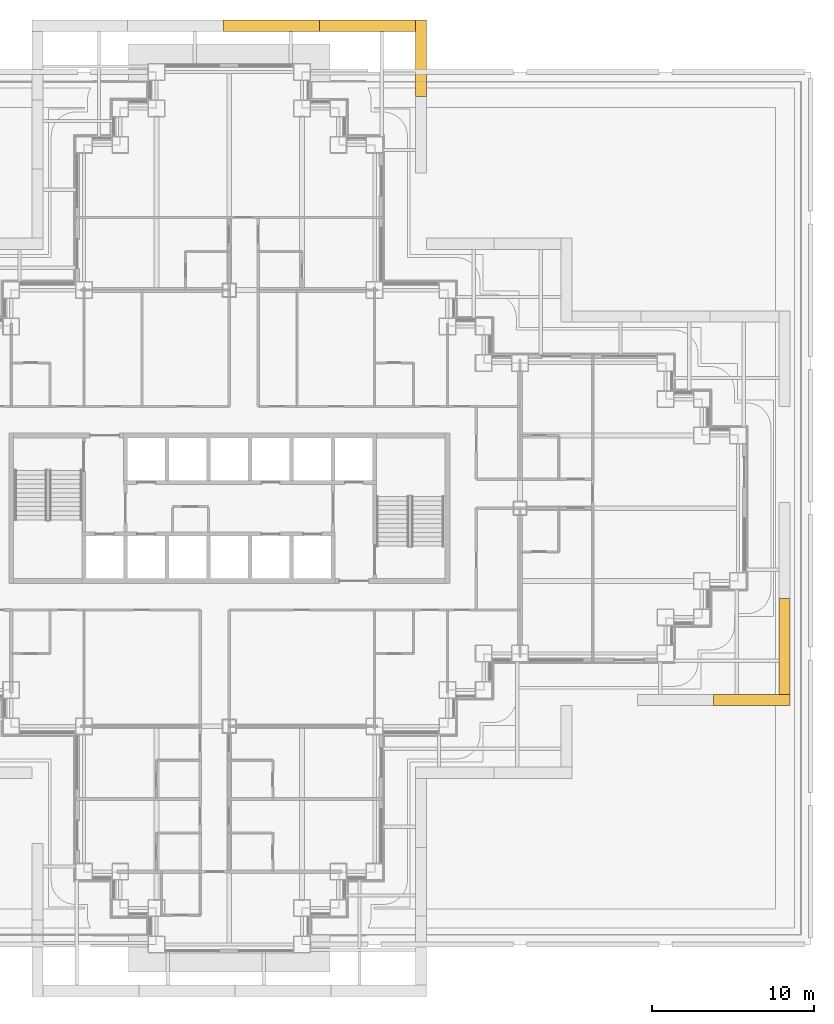
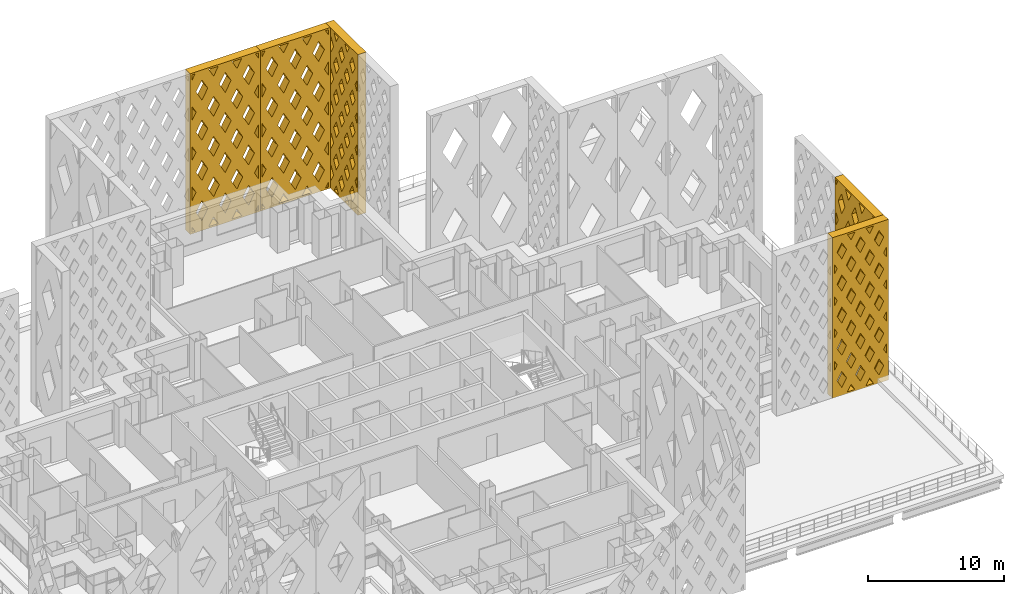
# One storey, part 25 of 26: 5 shading devices.
"""IFC4 building model written with IfcOpenShell, lengths in metres."""

from ifc_helpers import new_model, si_unit, direction, frame, origin, place, context, subcontext, project, spatial, polyline, outline, extrude, material, type_object, element, save


model = new_model("IFC4")

# Units and contexts
model_context = context("Model", 3, precision=1e-05, world=origin(), true_north=direction((0.0, 1.0)))
body_context = subcontext(model_context, "Body", "Model", "MODEL_VIEW")
ifc_project = project(units=[si_unit("LENGTHUNIT", "METRE"), si_unit("AREAUNIT", "SQUARE_METRE"), si_unit("VOLUMEUNIT", "CUBIC_METRE"), si_unit("PLANEANGLEUNIT", "RADIAN"), si_unit("MASSUNIT", "GRAM", prefix="KILO")], contexts=[model_context])

# Site, building, storey
site_placement = place(None, origin())
site = spatial("IfcSite", under=ifc_project, at=site_placement, CompositionType="ELEMENT")
building_placement = place(site_placement, origin())
building = spatial("IfcBuilding", under=site, at=building_placement, Name="Caravel Reach Hotel and Residences", CompositionType="ELEMENT")
storey_placement = place(building_placement, frame((0.0, 0.0, 33.60009765625)))
storey = spatial("IfcBuildingStorey", under=building, at=storey_placement, Name="L06", CompositionType="ELEMENT", Elevation=33.60009765625)

# Shading devices
ifc_material_1 = material(Name="Black powder-coated aluminium", Category="aluminium")
shading_device_type_1 = type_object("IfcShadingDeviceType", Name="Diamond lattice screen panel 4733 x 14400", PredefinedType="USERDEFINED", material=ifc_material_1)
shading_device_1_placement = place(storey_placement, frame((61.49169921875, 15.47509765625, 0.0), z_axis=(0.0, -1.0, 0.0), x_axis=(1.0, 0.0, 0.0)))
element("IfcShadingDevice", 1, at=shading_device_1_placement, inside=storey, type_object=shading_device_type_1, Name="Lattice screen L06-L09 6.3", ObjectType="SCREEN", PredefinedType="USERDEFINED", context=body_context, shape_type="SweptSolid", body=[
    extrude(outline(polyline([(0.0, 0.0), (4.7333984375, 0.0), (4.7333984375, 14.39990234375), (0.0, 14.39990234375), (0.0, 0.0)]), holes=[polyline([(0.39892578125, 2.8798828125), (0.14990234375, 3.334228515625), (0.14990234375, 2.42578125), (0.39892578125, 2.8798828125)]), polyline([(0.39892578125, 5.760009765625), (0.14990234375, 6.21435546875), (0.14990234375, 5.3056640625), (0.39892578125, 5.760009765625)]), polyline([(0.39892578125, 8.639892578125), (0.14990234375, 9.09423828125), (0.14990234375, 8.185791015625), (0.39892578125, 8.639892578125)]), polyline([(0.39892578125, 11.52001953125), (0.14990234375, 11.974365234375), (0.14990234375, 11.065673828125), (0.39892578125, 11.52001953125)]), polyline([(0.788818359375, 2.16796875), (0.39013671875, 1.43994140625), (0.788818359375, 0.7119140625), (1.187744140625, 1.43994140625), (0.788818359375, 2.16796875)]), polyline([(0.788818359375, 5.048095703125), (0.39013671875, 4.320068359375), (0.788818359375, 3.592041015625), (1.187744140625, 4.320068359375), (0.788818359375, 5.048095703125)]), polyline([(0.788818359375, 7.927978515625), (0.39013671875, 7.199951171875), (0.788818359375, 6.471923828125), (1.187744140625, 7.199951171875), (0.788818359375, 7.927978515625)]), polyline([(0.788818359375, 10.80810546875), (0.39013671875, 10.080078125), (0.788818359375, 9.35205078125), (1.187744140625, 10.080078125), (0.788818359375, 10.80810546875)]), polyline([(0.788818359375, 13.68798828125), (0.39013671875, 12.9599609375), (0.788818359375, 12.23193359375), (1.187744140625, 12.9599609375), (0.788818359375, 13.68798828125)]), polyline([(1.577880859375, 0.72802734375), (1.260986328125, 0.14990234375), (1.89453125, 0.14990234375), (1.577880859375, 0.72802734375)]), polyline([(1.577880859375, 3.608154296875), (1.178955078125, 2.8798828125), (1.577880859375, 2.15185546875), (1.9765625, 2.8798828125), (1.577880859375, 3.608154296875)]), polyline([(1.577880859375, 6.488037109375), (1.178955078125, 5.760009765625), (1.577880859375, 5.031982421875), (1.9765625, 5.760009765625), (1.577880859375, 6.488037109375)]), polyline([(1.577880859375, 9.3681640625), (1.178955078125, 8.639892578125), (1.577880859375, 7.911865234375), (1.9765625, 8.639892578125), (1.577880859375, 9.3681640625)]), polyline([(1.577880859375, 12.248046875), (1.178955078125, 11.52001953125), (1.577880859375, 10.7919921875), (1.9765625, 11.52001953125), (1.577880859375, 12.248046875)]), polyline([(1.577880859375, 13.671875), (1.89453125, 14.25), (1.260986328125, 14.25), (1.577880859375, 13.671875)]), polyline([(2.36669921875, 2.16796875), (1.9677734375, 1.43994140625), (2.36669921875, 0.7119140625), (2.765625, 1.43994140625), (2.36669921875, 2.16796875)]), polyline([(2.36669921875, 5.048095703125), (1.9677734375, 4.320068359375), (2.36669921875, 3.592041015625), (2.765625, 4.320068359375), (2.36669921875, 5.048095703125)]), polyline([(2.36669921875, 7.927978515625), (1.9677734375, 7.199951171875), (2.36669921875, 6.471923828125), (2.765625, 7.199951171875), (2.36669921875, 7.927978515625)]), polyline([(2.36669921875, 10.80810546875), (1.9677734375, 10.080078125), (2.36669921875, 9.35205078125), (2.765625, 10.080078125), (2.36669921875, 10.80810546875)]), polyline([(2.36669921875, 13.68798828125), (1.9677734375, 12.9599609375), (2.36669921875, 12.23193359375), (2.765625, 12.9599609375), (2.36669921875, 13.68798828125)]), polyline([(3.155517578125, 0.72802734375), (2.8388671875, 0.14990234375), (3.47216796875, 0.14990234375), (3.155517578125, 0.72802734375)]), polyline([(3.155517578125, 3.608154296875), (2.756591796875, 2.8798828125), (3.155517578125, 2.15185546875), (3.554443359375, 2.8798828125), (3.155517578125, 3.608154296875)]), polyline([(3.155517578125, 6.488037109375), (2.756591796875, 5.760009765625), (3.155517578125, 5.031982421875), (3.554443359375, 5.760009765625), (3.155517578125, 6.488037109375)]), polyline([(3.155517578125, 9.3681640625), (2.756591796875, 8.639892578125), (3.155517578125, 7.911865234375), (3.554443359375, 8.639892578125), (3.155517578125, 9.3681640625)]), polyline([(3.155517578125, 12.248046875), (2.756591796875, 11.52001953125), (3.155517578125, 10.7919921875), (3.554443359375, 11.52001953125), (3.155517578125, 12.248046875)]), polyline([(3.155517578125, 13.671875), (3.47216796875, 14.25), (2.8388671875, 14.25), (3.155517578125, 13.671875)]), polyline([(3.9443359375, 2.16796875), (3.545654296875, 1.43994140625), (3.9443359375, 0.7119140625), (4.34326171875, 1.43994140625), (3.9443359375, 2.16796875)]), polyline([(3.9443359375, 5.048095703125), (3.545654296875, 4.320068359375), (3.9443359375, 3.592041015625), (4.34326171875, 4.320068359375), (3.9443359375, 5.048095703125)]), polyline([(3.9443359375, 7.927978515625), (3.545654296875, 7.199951171875), (3.9443359375, 6.471923828125), (4.34326171875, 7.199951171875), (3.9443359375, 7.927978515625)]), polyline([(3.9443359375, 10.80810546875), (3.545654296875, 10.080078125), (3.9443359375, 9.35205078125), (4.34326171875, 10.080078125), (3.9443359375, 10.80810546875)]), polyline([(3.9443359375, 13.68798828125), (3.545654296875, 12.9599609375), (3.9443359375, 12.23193359375), (4.34326171875, 12.9599609375), (3.9443359375, 13.68798828125)]), polyline([(4.33447265625, 2.8798828125), (4.583251953125, 2.42578125), (4.583251953125, 3.334228515625), (4.33447265625, 2.8798828125)]), polyline([(4.33447265625, 5.760009765625), (4.583251953125, 5.3056640625), (4.583251953125, 6.21435546875), (4.33447265625, 5.760009765625)]), polyline([(4.33447265625, 8.639892578125), (4.583251953125, 8.185791015625), (4.583251953125, 9.09423828125), (4.33447265625, 8.639892578125)]), polyline([(4.33447265625, 11.52001953125), (4.583251953125, 11.065673828125), (4.583251953125, 11.974365234375), (4.33447265625, 11.52001953125)])]), origin(), (0.0, 0.0, 1.0), 0.7001953125),
])
shading_device_2_placement = place(storey_placement, frame((43.02490234375, 52.49169921875, 0.0), z_axis=(1.0, 0.0, 0.0), x_axis=(0.0, 1.0, 0.0)))
element("IfcShadingDevice", 2, at=shading_device_2_placement, inside=storey, type_object=shading_device_type_1, Name="Lattice screen L06-L09 11.3", ObjectType="SCREEN", PredefinedType="USERDEFINED", context=body_context, shape_type="SweptSolid", body=[
    extrude(outline(polyline([(0.0, 0.0), (4.7333984375, 0.0), (4.7333984375, 14.39990234375), (0.0, 14.39990234375), (0.0, 0.0)]), holes=[polyline([(0.39892578125, 2.8798828125), (0.14990234375, 3.334228515625), (0.14990234375, 2.42578125), (0.39892578125, 2.8798828125)]), polyline([(0.39892578125, 5.760009765625), (0.14990234375, 6.21435546875), (0.14990234375, 5.3056640625), (0.39892578125, 5.760009765625)]), polyline([(0.39892578125, 8.639892578125), (0.14990234375, 9.09423828125), (0.14990234375, 8.185791015625), (0.39892578125, 8.639892578125)]), polyline([(0.39892578125, 11.52001953125), (0.14990234375, 11.974365234375), (0.14990234375, 11.065673828125), (0.39892578125, 11.52001953125)]), polyline([(0.788818359375, 2.16796875), (0.39013671875, 1.43994140625), (0.788818359375, 0.7119140625), (1.187744140625, 1.43994140625), (0.788818359375, 2.16796875)]), polyline([(0.788818359375, 5.048095703125), (0.39013671875, 4.320068359375), (0.788818359375, 3.592041015625), (1.187744140625, 4.320068359375), (0.788818359375, 5.048095703125)]), polyline([(0.788818359375, 7.927978515625), (0.39013671875, 7.199951171875), (0.788818359375, 6.471923828125), (1.187744140625, 7.199951171875), (0.788818359375, 7.927978515625)]), polyline([(0.788818359375, 10.80810546875), (0.39013671875, 10.080078125), (0.788818359375, 9.35205078125), (1.187744140625, 10.080078125), (0.788818359375, 10.80810546875)]), polyline([(0.788818359375, 13.68798828125), (0.39013671875, 12.9599609375), (0.788818359375, 12.23193359375), (1.187744140625, 12.9599609375), (0.788818359375, 13.68798828125)]), polyline([(1.577880859375, 0.72802734375), (1.260986328125, 0.14990234375), (1.89453125, 0.14990234375), (1.577880859375, 0.72802734375)]), polyline([(1.577880859375, 3.608154296875), (1.178955078125, 2.8798828125), (1.577880859375, 2.15185546875), (1.9765625, 2.8798828125), (1.577880859375, 3.608154296875)]), polyline([(1.577880859375, 6.488037109375), (1.178955078125, 5.760009765625), (1.577880859375, 5.031982421875), (1.9765625, 5.760009765625), (1.577880859375, 6.488037109375)]), polyline([(1.577880859375, 9.3681640625), (1.178955078125, 8.639892578125), (1.577880859375, 7.911865234375), (1.9765625, 8.639892578125), (1.577880859375, 9.3681640625)]), polyline([(1.577880859375, 12.248046875), (1.178955078125, 11.52001953125), (1.577880859375, 10.7919921875), (1.9765625, 11.52001953125), (1.577880859375, 12.248046875)]), polyline([(1.577880859375, 13.671875), (1.89453125, 14.25), (1.260986328125, 14.25), (1.577880859375, 13.671875)]), polyline([(2.36669921875, 2.16796875), (1.9677734375, 1.43994140625), (2.36669921875, 0.7119140625), (2.765625, 1.43994140625), (2.36669921875, 2.16796875)]), polyline([(2.36669921875, 5.048095703125), (1.9677734375, 4.320068359375), (2.36669921875, 3.592041015625), (2.765625, 4.320068359375), (2.36669921875, 5.048095703125)]), polyline([(2.36669921875, 7.927978515625), (1.9677734375, 7.199951171875), (2.36669921875, 6.471923828125), (2.765625, 7.199951171875), (2.36669921875, 7.927978515625)]), polyline([(2.36669921875, 10.80810546875), (1.9677734375, 10.080078125), (2.36669921875, 9.35205078125), (2.765625, 10.080078125), (2.36669921875, 10.80810546875)]), polyline([(2.36669921875, 13.68798828125), (1.9677734375, 12.9599609375), (2.36669921875, 12.23193359375), (2.765625, 12.9599609375), (2.36669921875, 13.68798828125)]), polyline([(3.155517578125, 0.72802734375), (2.8388671875, 0.14990234375), (3.47216796875, 0.14990234375), (3.155517578125, 0.72802734375)]), polyline([(3.155517578125, 3.608154296875), (2.756591796875, 2.8798828125), (3.155517578125, 2.15185546875), (3.554443359375, 2.8798828125), (3.155517578125, 3.608154296875)]), polyline([(3.155517578125, 6.488037109375), (2.756591796875, 5.760009765625), (3.155517578125, 5.031982421875), (3.554443359375, 5.760009765625), (3.155517578125, 6.488037109375)]), polyline([(3.155517578125, 9.3681640625), (2.756591796875, 8.639892578125), (3.155517578125, 7.911865234375), (3.554443359375, 8.639892578125), (3.155517578125, 9.3681640625)]), polyline([(3.155517578125, 12.248046875), (2.756591796875, 11.52001953125), (3.155517578125, 10.7919921875), (3.554443359375, 11.52001953125), (3.155517578125, 12.248046875)]), polyline([(3.155517578125, 13.671875), (3.47216796875, 14.25), (2.8388671875, 14.25), (3.155517578125, 13.671875)]), polyline([(3.9443359375, 2.16796875), (3.545654296875, 1.43994140625), (3.9443359375, 0.7119140625), (4.34326171875, 1.43994140625), (3.9443359375, 2.16796875)]), polyline([(3.9443359375, 5.048095703125), (3.545654296875, 4.320068359375), (3.9443359375, 3.592041015625), (4.34326171875, 4.320068359375), (3.9443359375, 5.048095703125)]), polyline([(3.9443359375, 7.927978515625), (3.545654296875, 7.199951171875), (3.9443359375, 6.471923828125), (4.34326171875, 7.199951171875), (3.9443359375, 7.927978515625)]), polyline([(3.9443359375, 10.80810546875), (3.545654296875, 10.080078125), (3.9443359375, 9.35205078125), (4.34326171875, 10.080078125), (3.9443359375, 10.80810546875)]), polyline([(3.9443359375, 13.68798828125), (3.545654296875, 12.9599609375), (3.9443359375, 12.23193359375), (4.34326171875, 12.9599609375), (3.9443359375, 13.68798828125)]), polyline([(4.33447265625, 2.8798828125), (4.583251953125, 2.42578125), (4.583251953125, 3.334228515625), (4.33447265625, 2.8798828125)]), polyline([(4.33447265625, 5.760009765625), (4.583251953125, 5.3056640625), (4.583251953125, 6.21435546875), (4.33447265625, 5.760009765625)]), polyline([(4.33447265625, 8.639892578125), (4.583251953125, 8.185791015625), (4.583251953125, 9.09423828125), (4.33447265625, 8.639892578125)]), polyline([(4.33447265625, 11.52001953125), (4.583251953125, 11.065673828125), (4.583251953125, 11.974365234375), (4.33447265625, 11.52001953125)])]), origin(), (0.0, 0.0, 1.0), 0.7001953125),
])
ifc_material_2 = material(Name="Black powder-coated aluminium", Category="aluminium")
shading_device_type_2 = type_object("IfcShadingDeviceType", Name="Diamond lattice screen panel 5937 x 14400", PredefinedType="USERDEFINED", material=ifc_material_2)
shading_device_3_placement = place(storey_placement, frame((65.52490234375, 15.47509765625, 0.0), z_axis=(1.0, 0.0, 0.0), x_axis=(0.0, 1.0, 0.0)))
element("IfcShadingDevice", 3, at=shading_device_3_placement, inside=storey, type_object=shading_device_type_2, Name="Lattice screen L06-L09 7.1", ObjectType="SCREEN", PredefinedType="USERDEFINED", context=body_context, shape_type="SweptSolid", body=[
    extrude(outline(polyline([(0.0, 0.0), (5.9375, 0.0), (5.9375, 14.39990234375), (0.0, 14.39990234375), (0.0, 0.0)]), holes=[polyline([(0.412353515625, 0.14990234375), (0.14990234375, 0.626953125), (0.14990234375, 0.14990234375), (0.412353515625, 0.14990234375)]), polyline([(0.49462890625, 3.60009765625), (0.14990234375, 4.22705078125), (0.14990234375, 2.972900390625), (0.49462890625, 3.60009765625)]), polyline([(0.49462890625, 7.199951171875), (0.14990234375, 7.826904296875), (0.14990234375, 6.572998046875), (0.49462890625, 7.199951171875)]), polyline([(0.49462890625, 10.800048828125), (0.14990234375, 11.427001953125), (0.14990234375, 10.173095703125), (0.49462890625, 10.800048828125)]), polyline([(0.14990234375, 13.77294921875), (0.412353515625, 14.25), (0.14990234375, 14.25), (0.14990234375, 13.77294921875)]), polyline([(0.989501953125, 2.699951171875), (0.494873046875, 1.800048828125), (0.989501953125, 0.900146484375), (1.484375, 1.800048828125), (0.989501953125, 2.699951171875)]), polyline([(0.989501953125, 6.2998046875), (0.494873046875, 5.39990234375), (0.989501953125, 4.500244140625), (1.484375, 5.39990234375), (0.989501953125, 6.2998046875)]), polyline([(0.989501953125, 9.89990234375), (0.494873046875, 9.0), (0.989501953125, 8.10009765625), (1.484375, 9.0), (0.989501953125, 9.89990234375)]), polyline([(0.989501953125, 13.499755859375), (0.494873046875, 12.60009765625), (0.989501953125, 11.7001953125), (1.484375, 12.60009765625), (0.989501953125, 13.499755859375)]), polyline([(1.979248046875, 0.89990234375), (1.56689453125, 0.14990234375), (2.391357421875, 0.14990234375), (1.979248046875, 0.89990234375)]), polyline([(1.979248046875, 4.499755859375), (1.484375, 3.60009765625), (1.979248046875, 2.7001953125), (2.473876953125, 3.60009765625), (1.979248046875, 4.499755859375)]), polyline([(1.979248046875, 8.099853515625), (1.484375, 7.199951171875), (1.979248046875, 6.300048828125), (2.473876953125, 7.199951171875), (1.979248046875, 8.099853515625)]), polyline([(1.979248046875, 11.699951171875), (1.484375, 10.800048828125), (1.979248046875, 9.900146484375), (2.473876953125, 10.800048828125), (1.979248046875, 11.699951171875)]), polyline([(1.979248046875, 13.500244140625), (2.391357421875, 14.25), (1.56689453125, 14.25), (1.979248046875, 13.500244140625)]), polyline([(2.96875, 2.699951171875), (2.47412109375, 1.800048828125), (2.96875, 0.900146484375), (3.46337890625, 1.800048828125), (2.96875, 2.699951171875)]), polyline([(2.96875, 6.2998046875), (2.47412109375, 5.39990234375), (2.96875, 4.500244140625), (3.46337890625, 5.39990234375), (2.96875, 6.2998046875)]), polyline([(2.96875, 9.89990234375), (2.47412109375, 9.0), (2.96875, 8.10009765625), (3.46337890625, 9.0), (2.96875, 9.89990234375)]), polyline([(2.96875, 13.499755859375), (2.47412109375, 12.60009765625), (2.96875, 11.7001953125), (3.46337890625, 12.60009765625), (2.96875, 13.499755859375)]), polyline([(3.958251953125, 0.89990234375), (3.546142578125, 0.14990234375), (4.37060546875, 0.14990234375), (3.958251953125, 0.89990234375)]), polyline([(3.958251953125, 4.499755859375), (3.463623046875, 3.60009765625), (3.958251953125, 2.7001953125), (4.453125, 3.60009765625), (3.958251953125, 4.499755859375)]), polyline([(3.958251953125, 8.099853515625), (3.463623046875, 7.199951171875), (3.958251953125, 6.300048828125), (4.453125, 7.199951171875), (3.958251953125, 8.099853515625)]), polyline([(3.958251953125, 11.699951171875), (3.463623046875, 10.800048828125), (3.958251953125, 9.900146484375), (4.453125, 10.800048828125), (3.958251953125, 11.699951171875)]), polyline([(3.958251953125, 13.500244140625), (4.37060546875, 14.25), (3.546142578125, 14.25), (3.958251953125, 13.500244140625)]), polyline([(4.947998046875, 2.699951171875), (4.453125, 1.800048828125), (4.947998046875, 0.900146484375), (5.442626953125, 1.800048828125), (4.947998046875, 2.699951171875)]), polyline([(4.947998046875, 6.2998046875), (4.453125, 5.39990234375), (4.947998046875, 4.500244140625), (5.442626953125, 5.39990234375), (4.947998046875, 6.2998046875)]), polyline([(4.947998046875, 9.89990234375), (4.453125, 9.0), (4.947998046875, 8.10009765625), (5.442626953125, 9.0), (4.947998046875, 9.89990234375)]), polyline([(4.947998046875, 13.499755859375), (4.453125, 12.60009765625), (4.947998046875, 11.7001953125), (5.442626953125, 12.60009765625), (4.947998046875, 13.499755859375)]), polyline([(5.78759765625, 0.626953125), (5.525146484375, 0.14990234375), (5.78759765625, 0.14990234375), (5.78759765625, 0.626953125)]), polyline([(5.44287109375, 3.60009765625), (5.78759765625, 2.972900390625), (5.78759765625, 4.22705078125), (5.44287109375, 3.60009765625)]), polyline([(5.44287109375, 7.199951171875), (5.78759765625, 6.572998046875), (5.78759765625, 7.826904296875), (5.44287109375, 7.199951171875)]), polyline([(5.44287109375, 10.800048828125), (5.78759765625, 10.173095703125), (5.78759765625, 11.427001953125), (5.44287109375, 10.800048828125)]), polyline([(5.525146484375, 14.25), (5.78759765625, 13.77294921875), (5.78759765625, 14.25), (5.525146484375, 14.25)])]), origin(), (0.0, 0.0, 1.0), 0.7001953125),
])
shading_device_4_placement = place(storey_placement, frame((43.02490234375, 56.52490234375, 0.0), z_axis=(0.0, 1.0, 0.0), x_axis=(-1.0, 0.0, 0.0)))
element("IfcShadingDevice", 4, at=shading_device_4_placement, inside=storey, type_object=shading_device_type_2, Name="Lattice screen L06-L09 12.1", ObjectType="SCREEN", PredefinedType="USERDEFINED", context=body_context, shape_type="SweptSolid", body=[
    extrude(outline(polyline([(0.0, 0.0), (5.9375, 0.0), (5.9375, 14.39990234375), (0.0, 14.39990234375), (0.0, 0.0)]), holes=[polyline([(0.412353515625, 0.14990234375), (0.14990234375, 0.626953125), (0.14990234375, 0.14990234375), (0.412353515625, 0.14990234375)]), polyline([(0.49462890625, 3.60009765625), (0.14990234375, 4.22705078125), (0.14990234375, 2.972900390625), (0.49462890625, 3.60009765625)]), polyline([(0.49462890625, 7.199951171875), (0.14990234375, 7.826904296875), (0.14990234375, 6.572998046875), (0.49462890625, 7.199951171875)]), polyline([(0.49462890625, 10.800048828125), (0.14990234375, 11.427001953125), (0.14990234375, 10.173095703125), (0.49462890625, 10.800048828125)]), polyline([(0.14990234375, 13.77294921875), (0.412353515625, 14.25), (0.14990234375, 14.25), (0.14990234375, 13.77294921875)]), polyline([(0.989501953125, 2.699951171875), (0.494873046875, 1.800048828125), (0.989501953125, 0.900146484375), (1.484375, 1.800048828125), (0.989501953125, 2.699951171875)]), polyline([(0.989501953125, 6.2998046875), (0.494873046875, 5.39990234375), (0.989501953125, 4.500244140625), (1.484375, 5.39990234375), (0.989501953125, 6.2998046875)]), polyline([(0.989501953125, 9.89990234375), (0.494873046875, 9.0), (0.989501953125, 8.10009765625), (1.484375, 9.0), (0.989501953125, 9.89990234375)]), polyline([(0.989501953125, 13.499755859375), (0.494873046875, 12.60009765625), (0.989501953125, 11.7001953125), (1.484375, 12.60009765625), (0.989501953125, 13.499755859375)]), polyline([(1.979248046875, 0.89990234375), (1.56689453125, 0.14990234375), (2.391357421875, 0.14990234375), (1.979248046875, 0.89990234375)]), polyline([(1.979248046875, 4.499755859375), (1.484375, 3.60009765625), (1.979248046875, 2.7001953125), (2.473876953125, 3.60009765625), (1.979248046875, 4.499755859375)]), polyline([(1.979248046875, 8.099853515625), (1.484375, 7.199951171875), (1.979248046875, 6.300048828125), (2.473876953125, 7.199951171875), (1.979248046875, 8.099853515625)]), polyline([(1.979248046875, 11.699951171875), (1.484375, 10.800048828125), (1.979248046875, 9.900146484375), (2.473876953125, 10.800048828125), (1.979248046875, 11.699951171875)]), polyline([(1.979248046875, 13.500244140625), (2.391357421875, 14.25), (1.56689453125, 14.25), (1.979248046875, 13.500244140625)]), polyline([(2.96875, 2.699951171875), (2.47412109375, 1.800048828125), (2.96875, 0.900146484375), (3.46337890625, 1.800048828125), (2.96875, 2.699951171875)]), polyline([(2.96875, 6.2998046875), (2.47412109375, 5.39990234375), (2.96875, 4.500244140625), (3.46337890625, 5.39990234375), (2.96875, 6.2998046875)]), polyline([(2.96875, 9.89990234375), (2.47412109375, 9.0), (2.96875, 8.10009765625), (3.46337890625, 9.0), (2.96875, 9.89990234375)]), polyline([(2.96875, 13.499755859375), (2.47412109375, 12.60009765625), (2.96875, 11.7001953125), (3.46337890625, 12.60009765625), (2.96875, 13.499755859375)]), polyline([(3.958251953125, 0.89990234375), (3.546142578125, 0.14990234375), (4.37060546875, 0.14990234375), (3.958251953125, 0.89990234375)]), polyline([(3.958251953125, 4.499755859375), (3.463623046875, 3.60009765625), (3.958251953125, 2.7001953125), (4.453125, 3.60009765625), (3.958251953125, 4.499755859375)]), polyline([(3.958251953125, 8.099853515625), (3.463623046875, 7.199951171875), (3.958251953125, 6.300048828125), (4.453125, 7.199951171875), (3.958251953125, 8.099853515625)]), polyline([(3.958251953125, 11.699951171875), (3.463623046875, 10.800048828125), (3.958251953125, 9.900146484375), (4.453125, 10.800048828125), (3.958251953125, 11.699951171875)]), polyline([(3.958251953125, 13.500244140625), (4.37060546875, 14.25), (3.546142578125, 14.25), (3.958251953125, 13.500244140625)]), polyline([(4.947998046875, 2.699951171875), (4.453125, 1.800048828125), (4.947998046875, 0.900146484375), (5.442626953125, 1.800048828125), (4.947998046875, 2.699951171875)]), polyline([(4.947998046875, 6.2998046875), (4.453125, 5.39990234375), (4.947998046875, 4.500244140625), (5.442626953125, 5.39990234375), (4.947998046875, 6.2998046875)]), polyline([(4.947998046875, 9.89990234375), (4.453125, 9.0), (4.947998046875, 8.10009765625), (5.442626953125, 9.0), (4.947998046875, 9.89990234375)]), polyline([(4.947998046875, 13.499755859375), (4.453125, 12.60009765625), (4.947998046875, 11.7001953125), (5.442626953125, 12.60009765625), (4.947998046875, 13.499755859375)]), polyline([(5.78759765625, 0.626953125), (5.525146484375, 0.14990234375), (5.78759765625, 0.14990234375), (5.78759765625, 0.626953125)]), polyline([(5.44287109375, 3.60009765625), (5.78759765625, 2.972900390625), (5.78759765625, 4.22705078125), (5.44287109375, 3.60009765625)]), polyline([(5.44287109375, 7.199951171875), (5.78759765625, 6.572998046875), (5.78759765625, 7.826904296875), (5.44287109375, 7.199951171875)]), polyline([(5.44287109375, 10.800048828125), (5.78759765625, 10.173095703125), (5.78759765625, 11.427001953125), (5.44287109375, 10.800048828125)]), polyline([(5.525146484375, 14.25), (5.78759765625, 13.77294921875), (5.78759765625, 14.25), (5.525146484375, 14.25)])]), origin(), (0.0, 0.0, 1.0), 0.7001953125),
])
shading_device_5_placement = place(storey_placement, frame((37.08740234375, 56.52490234375, 0.0), z_axis=(0.0, 1.0, 0.0), x_axis=(-1.0, 0.0, 0.0)))
element("IfcShadingDevice", 5, at=shading_device_5_placement, inside=storey, type_object=shading_device_type_2, Name="Lattice screen L06-L09 12.2", ObjectType="SCREEN", PredefinedType="USERDEFINED", context=body_context, shape_type="SweptSolid", body=[
    extrude(outline(polyline([(0.0, 0.0), (5.9375, 0.0), (5.9375, 14.39990234375), (0.0, 14.39990234375), (0.0, 0.0)]), holes=[polyline([(0.412353515625, 0.14990234375), (0.14990234375, 0.626953125), (0.14990234375, 0.14990234375), (0.412353515625, 0.14990234375)]), polyline([(0.49462890625, 3.60009765625), (0.14990234375, 4.22705078125), (0.14990234375, 2.972900390625), (0.49462890625, 3.60009765625)]), polyline([(0.49462890625, 7.199951171875), (0.14990234375, 7.826904296875), (0.14990234375, 6.572998046875), (0.49462890625, 7.199951171875)]), polyline([(0.49462890625, 10.800048828125), (0.14990234375, 11.427001953125), (0.14990234375, 10.173095703125), (0.49462890625, 10.800048828125)]), polyline([(0.14990234375, 13.77294921875), (0.412353515625, 14.25), (0.14990234375, 14.25), (0.14990234375, 13.77294921875)]), polyline([(0.989501953125, 2.699951171875), (0.494873046875, 1.800048828125), (0.989501953125, 0.900146484375), (1.484375, 1.800048828125), (0.989501953125, 2.699951171875)]), polyline([(0.989501953125, 6.2998046875), (0.494873046875, 5.39990234375), (0.989501953125, 4.500244140625), (1.484375, 5.39990234375), (0.989501953125, 6.2998046875)]), polyline([(0.989501953125, 9.89990234375), (0.494873046875, 9.0), (0.989501953125, 8.10009765625), (1.484375, 9.0), (0.989501953125, 9.89990234375)]), polyline([(0.989501953125, 13.499755859375), (0.494873046875, 12.60009765625), (0.989501953125, 11.7001953125), (1.484375, 12.60009765625), (0.989501953125, 13.499755859375)]), polyline([(1.979248046875, 0.89990234375), (1.56689453125, 0.14990234375), (2.391357421875, 0.14990234375), (1.979248046875, 0.89990234375)]), polyline([(1.979248046875, 4.499755859375), (1.484375, 3.60009765625), (1.979248046875, 2.7001953125), (2.473876953125, 3.60009765625), (1.979248046875, 4.499755859375)]), polyline([(1.979248046875, 8.099853515625), (1.484375, 7.199951171875), (1.979248046875, 6.300048828125), (2.473876953125, 7.199951171875), (1.979248046875, 8.099853515625)]), polyline([(1.979248046875, 11.699951171875), (1.484375, 10.800048828125), (1.979248046875, 9.900146484375), (2.473876953125, 10.800048828125), (1.979248046875, 11.699951171875)]), polyline([(1.979248046875, 13.500244140625), (2.391357421875, 14.25), (1.56689453125, 14.25), (1.979248046875, 13.500244140625)]), polyline([(2.96875, 2.699951171875), (2.47412109375, 1.800048828125), (2.96875, 0.900146484375), (3.46337890625, 1.800048828125), (2.96875, 2.699951171875)]), polyline([(2.96875, 6.2998046875), (2.47412109375, 5.39990234375), (2.96875, 4.500244140625), (3.46337890625, 5.39990234375), (2.96875, 6.2998046875)]), polyline([(2.96875, 9.89990234375), (2.47412109375, 9.0), (2.96875, 8.10009765625), (3.46337890625, 9.0), (2.96875, 9.89990234375)]), polyline([(2.96875, 13.499755859375), (2.47412109375, 12.60009765625), (2.96875, 11.7001953125), (3.46337890625, 12.60009765625), (2.96875, 13.499755859375)]), polyline([(3.958251953125, 0.89990234375), (3.546142578125, 0.14990234375), (4.37060546875, 0.14990234375), (3.958251953125, 0.89990234375)]), polyline([(3.958251953125, 4.499755859375), (3.463623046875, 3.60009765625), (3.958251953125, 2.7001953125), (4.453125, 3.60009765625), (3.958251953125, 4.499755859375)]), polyline([(3.958251953125, 8.099853515625), (3.463623046875, 7.199951171875), (3.958251953125, 6.300048828125), (4.453125, 7.199951171875), (3.958251953125, 8.099853515625)]), polyline([(3.958251953125, 11.699951171875), (3.463623046875, 10.800048828125), (3.958251953125, 9.900146484375), (4.453125, 10.800048828125), (3.958251953125, 11.699951171875)]), polyline([(3.958251953125, 13.500244140625), (4.37060546875, 14.25), (3.546142578125, 14.25), (3.958251953125, 13.500244140625)]), polyline([(4.947998046875, 2.699951171875), (4.453125, 1.800048828125), (4.947998046875, 0.900146484375), (5.442626953125, 1.800048828125), (4.947998046875, 2.699951171875)]), polyline([(4.947998046875, 6.2998046875), (4.453125, 5.39990234375), (4.947998046875, 4.500244140625), (5.442626953125, 5.39990234375), (4.947998046875, 6.2998046875)]), polyline([(4.947998046875, 9.89990234375), (4.453125, 9.0), (4.947998046875, 8.10009765625), (5.442626953125, 9.0), (4.947998046875, 9.89990234375)]), polyline([(4.947998046875, 13.499755859375), (4.453125, 12.60009765625), (4.947998046875, 11.7001953125), (5.442626953125, 12.60009765625), (4.947998046875, 13.499755859375)]), polyline([(5.78759765625, 0.626953125), (5.525146484375, 0.14990234375), (5.78759765625, 0.14990234375), (5.78759765625, 0.626953125)]), polyline([(5.44287109375, 3.60009765625), (5.78759765625, 2.972900390625), (5.78759765625, 4.22705078125), (5.44287109375, 3.60009765625)]), polyline([(5.44287109375, 7.199951171875), (5.78759765625, 6.572998046875), (5.78759765625, 7.826904296875), (5.44287109375, 7.199951171875)]), polyline([(5.44287109375, 10.800048828125), (5.78759765625, 10.173095703125), (5.78759765625, 11.427001953125), (5.44287109375, 10.800048828125)]), polyline([(5.525146484375, 14.25), (5.78759765625, 13.77294921875), (5.78759765625, 14.25), (5.525146484375, 14.25)])]), origin(), (0.0, 0.0, 1.0), 0.7001953125),
])

save(model, "model.ifc")
